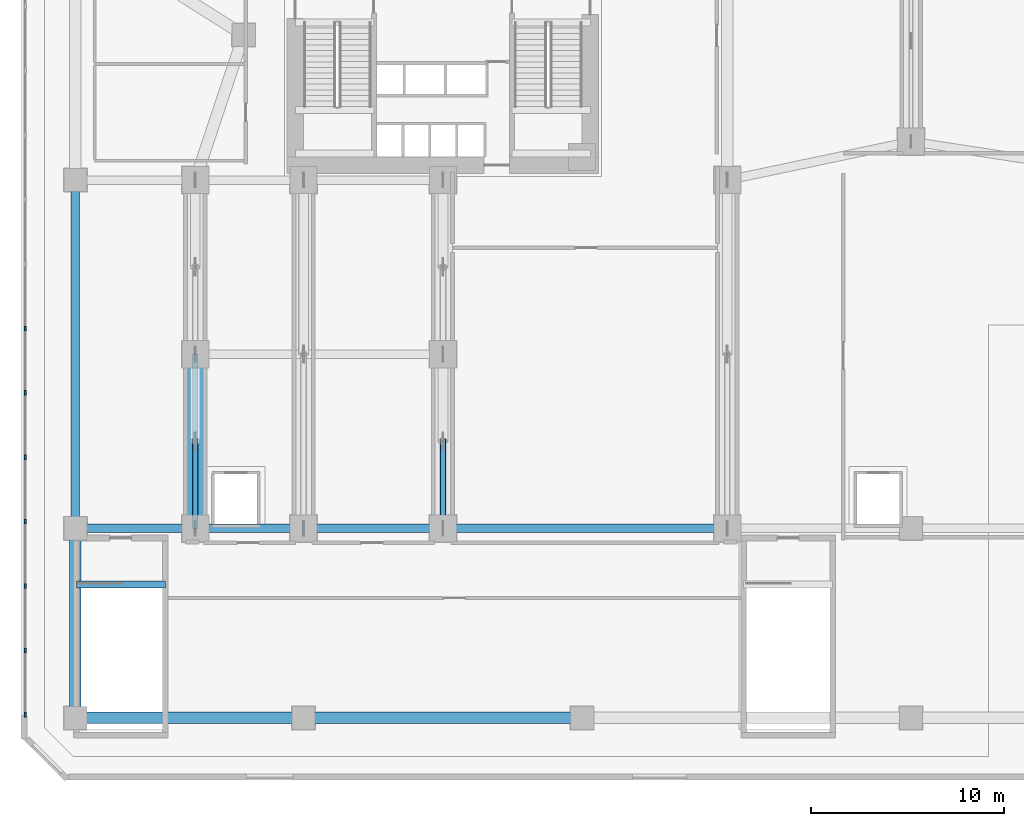
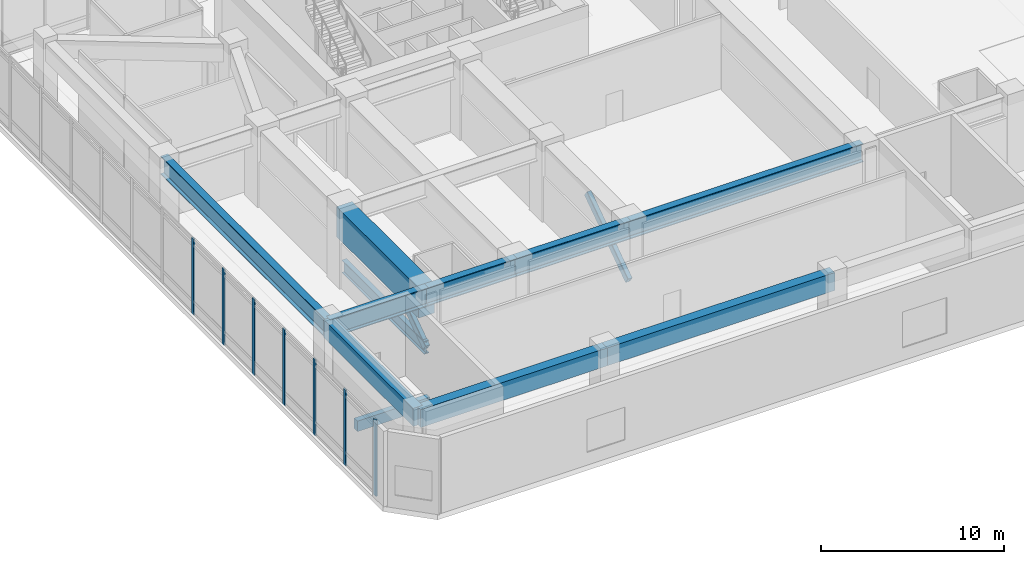
# One storey, part 2 of 21: 11 beams, 9 members, 1 element without a shape of its own.
"""IFC4 building model written with IfcOpenShell, lengths in metres."""

from ifc_helpers import new_model, si_unit, direction, frame, origin, origin_2d, place, context, subcontext, project, spatial, rectangle, hollow_rectangle, i_section, extrude, source, transform, mapped, material, material_profile, profile_set, type_object, element, aggregate, save


model = new_model("IFC4")

# Units and contexts
model_context = context("Model", 3, precision=1e-05, world=origin(), true_north=direction((0.0, 1.0)))
body_context = subcontext(model_context, "Body", "Model", "MODEL_VIEW")
ifc_project = project(units=[si_unit("LENGTHUNIT", "METRE"), si_unit("AREAUNIT", "SQUARE_METRE"), si_unit("VOLUMEUNIT", "CUBIC_METRE"), si_unit("PLANEANGLEUNIT", "RADIAN"), si_unit("MASSUNIT", "GRAM", prefix="KILO")], contexts=[model_context])

# Site, building, storey
site_placement = place(None, origin())
site = spatial("IfcSite", under=ifc_project, at=site_placement, CompositionType="ELEMENT")
building_placement = place(site_placement, origin())
building = spatial("IfcBuilding", under=site, at=building_placement, Name="Calvemar Wedge Station Tower", CompositionType="ELEMENT")
storey_placement = place(building_placement, frame((0.0, 0.0, 21.60009765625)))
storey = spatial("IfcBuildingStorey", under=building, at=storey_placement, Name="L05", CompositionType="ELEMENT", Elevation=21.60009765625)

# Beams
ifc_material_1 = material(Name="Concrete C70", Category="concrete")
ifc_material_profile_1 = material_profile(ifc_material_1, rectangle(XDim=0.35009765625, YDim=0.699951171875, at=origin_2d()), Name="RC350x700")
ifc_profile_set_1 = profile_set([ifc_material_profile_1], Name="Concrete C70")
beam_type_1 = type_object("IfcBeamType", Name="BM-LN1-700", PredefinedType="LINTEL", material=ifc_profile_set_1)
shared_shape_1 = source(origin(), body_context, "Body", "SweptSolid", [
    extrude(rectangle(XDim=0.35009765625, YDim=0.699951171875, at=origin_2d()), origin(), (0.0, 0.0, 1.0), 4.599853515625),
])
beam_1_placement = place(storey_placement, frame((4.85009765625, 12.10009765625, -0.35009765625), z_axis=(1.0, 0.0, 0.0), x_axis=(0.0, 1.0, 0.0)))
element("IfcBeam", 1, at=beam_1_placement, inside=storey, type_object=beam_type_1, Name="Storey L05 Stair ST-P1 Landing Trimmer Beam", PredefinedType="LINTEL", context=body_context, shape_type="MappedRepresentation", body=[
    mapped(shared_shape_1, transform((0.0, 0.0, 0.0), scale=1.0)),
])
ifc_material_2 = material(Name="Concrete C60", Category="concrete")
ifc_material_profile_2 = material_profile(ifc_material_2, rectangle(XDim=0.60009765625, YDim=1.199951171875, at=origin_2d()), Name="RC600x1200")
ifc_profile_set_2 = profile_set([ifc_material_profile_2], Name="Concrete C60")
beam_type_2 = type_object("IfcBeamType", Name="BM-G1-1200", PredefinedType="BEAM", material=ifc_profile_set_2)
shared_shape_2 = source(origin(), body_context, "Body", "SweptSolid", [
    extrude(rectangle(XDim=0.60009765625, YDim=1.199951171875, at=origin_2d()), origin(), (0.0, 0.0, 1.0), 14.39990234375),
])
beam_2_placement = place(storey_placement, frame((16.60009765625, 5.199951171875, 4.449951171875), z_axis=(1.0, 0.0, 0.0), x_axis=(0.0, 1.0, 0.0)))
element("IfcBeam", 2, at=beam_2_placement, inside=storey, type_object=beam_type_2, Name="L05 Podium Girder P-S2-P-S3", PredefinedType="BEAM", context=body_context, shape_type="MappedRepresentation", body=[
    mapped(shared_shape_2, transform((0.0, 0.0, 0.0), scale=1.0)),
])
ifc_material_3 = material(Name="Structural steel ASTM A572 Grade 50", Category="steel")
ifc_material_profile_3 = material_profile(ifc_material_3, i_section(OverallWidth=0.303955078125, OverallDepth=0.862060546875, WebThickness=0.019775390625, FlangeThickness=0.035888671875, FilletRadius=0.02001953125, at=origin_2d()), Name="W840x329")
ifc_profile_set_3 = profile_set([ifc_material_profile_3], Name="Structural steel ASTM A572 Grade 50")
beam_type_3 = type_object("IfcBeamType", Name="BM-TR2-W840", PredefinedType="BEAM", material=ifc_profile_set_3)
shared_shape_3 = source(origin(), body_context, "Body", "SweptSolid", [
    extrude(i_section(OverallWidth=0.303955078125, OverallDepth=0.862060546875, WebThickness=0.019775390625, FlangeThickness=0.035888671875, FilletRadius=0.02001953125, at=origin_2d()), origin(), (0.0, 0.0, 1.0), 9.0),
])
beam_3_placement = place(storey_placement, frame((11.0, 15.0, 0.930908203125), z_axis=(0.0, 1.0, 0.0), x_axis=(-1.0, 0.0, 0.0)))
element("IfcBeam", 3, at=beam_3_placement, inside=storey, type_object=beam_type_3, Name="Warren Transfer Truss TR1 Bottom Chord 1", PredefinedType="BEAM", context=body_context, shape_type="MappedRepresentation", body=[
    mapped(shared_shape_3, transform((0.0, 0.0, 0.0), scale=1.0)),
])
ifc_material_profile_4 = material_profile(ifc_material_1, rectangle(XDim=1.0, YDim=2.0, at=origin_2d()), Name="RC1000x2000")
ifc_profile_set_4 = profile_set([ifc_material_profile_4], Name="Concrete C70")
beam_type_4 = type_object("IfcBeamType", Name="BM-TG1-2000", PredefinedType="BEAM", material=ifc_profile_set_4)
shared_shape_4 = source(origin(), body_context, "Body", "SweptSolid", [
    extrude(rectangle(XDim=1.0, YDim=2.0, at=origin_2d()), origin(), (0.0, 0.0, 1.0), 9.0),
])
beam_4_placement = place(storey_placement, frame((11.0, 15.0, 4.0498046875), z_axis=(0.0, 1.0, 0.0), x_axis=(-1.0, 0.0, 0.0)))
element("IfcBeam", 4, at=beam_4_placement, inside=storey, type_object=beam_type_4, Name="L05 Transfer Girder TG-L05-W1", PredefinedType="BEAM", context=body_context, shape_type="MappedRepresentation", body=[
    mapped(shared_shape_4, transform((0.0, 0.0, 0.0), scale=1.0)),
])

# Members
ifc_material_profile_5 = material_profile(ifc_material_3, hollow_rectangle(XDim=0.300048828125, YDim=0.5, WallThickness=0.02197265625, InnerFilletRadius=0.02197265625, OuterFilletRadius=0.0439453125, at=origin_2d()), Name="HSS500x300x22")
ifc_profile_set_5 = profile_set([ifc_material_profile_5], Name="Structural steel ASTM A572 Grade 50")
member_type_1 = type_object("IfcMemberType", Name="MEM-D1-HSS500", PredefinedType="BRACE", material=ifc_profile_set_5)
shared_shape_5 = source(origin(), body_context, "Body", "SweptSolid", [
    extrude(hollow_rectangle(XDim=0.300048828125, YDim=0.5, WallThickness=0.02197265625, InnerFilletRadius=0.02197265625, OuterFilletRadius=0.0439453125, at=origin_2d()), origin(), (0.0, 0.0, 1.0), 5.47509765625),
])
for number, where, z_axis, x_axis, name in (
    (5, (11.0, 15.0, 0.930908203125), (0.0, 0.821891894139, 0.569643497592), (-1.0, 0.0, 0.0), "Warren Transfer Truss TR1 Diagonal 1A"),
    (6, (23.800048828125, 15.0, 0.930908203125), (0.0, 0.821891894139, 0.569643497592), (-1.0, 0.0, 0.0), "Warren Transfer Truss TR3 Diagonal 1A"),
):
    element("IfcMember", number, at=place(storey_placement, frame(where, z_axis=z_axis, x_axis=x_axis)), inside=storey, type_object=member_type_1, Name=name, PredefinedType="BRACE", context=body_context, shape_type="MappedRepresentation", body=[
        mapped(shared_shape_5, transform((0.0, 0.0, 0.0), scale=1.0)),
    ])

# Beams
ifc_material_profile_6 = material_profile(ifc_material_3, i_section(OverallWidth=0.449951171875, OverallDepth=1.219970703125, WebThickness=0.02587890625, FlangeThickness=0.0458984375, FilletRadius=0.02392578125, at=origin_2d()), Name="W1200x540")
ifc_profile_set_6 = profile_set([ifc_material_profile_6], Name="Structural steel ASTM A572 Grade 50")
beam_type_5 = type_object("IfcBeamType", Name="BM-TG3-W1200", PredefinedType="BEAM", material=ifc_profile_set_6)
shared_shape_6 = source(origin(), body_context, "Body", "SweptSolid", [
    extrude(i_section(OverallWidth=0.449951171875, OverallDepth=1.219970703125, WebThickness=0.02587890625, FlangeThickness=0.0458984375, FilletRadius=0.02392578125, at=origin_2d()), origin(), (0.0, 0.0, 1.0), 6.199951171875),
])
beam_5_placement = place(storey_placement, frame((4.800048828125, 15.0, 4.43994140625), z_axis=(1.0, 0.0, 0.0), x_axis=(0.0, 1.0, 0.0)))
element("IfcBeam", 7, at=beam_5_placement, inside=storey, type_object=beam_type_5, Name="L05 Transfer Deck Tie Girder P-CS0-P-CS1", PredefinedType="BEAM", context=body_context, shape_type="MappedRepresentation", body=[
    mapped(shared_shape_6, transform((0.0, 0.0, 0.0), scale=1.0)),
])
shared_shape_7 = source(origin(), body_context, "Body", "SweptSolid", [
    extrude(i_section(OverallWidth=0.449951171875, OverallDepth=1.219970703125, WebThickness=0.02587890625, FlangeThickness=0.0458984375, FilletRadius=0.02392578125, at=origin_2d()), origin(), (0.0, 0.0, 1.0), 5.60009765625),
])
beam_6_placement = place(storey_placement, frame((11.0, 15.0, 4.43994140625), z_axis=(1.0, 0.0, 0.0), x_axis=(0.0, 1.0, 0.0)))
element("IfcBeam", 8, at=beam_6_placement, inside=storey, type_object=beam_type_5, Name="L05 Transfer Deck Tie Girder P-CS1-P-CS2", PredefinedType="BEAM", context=body_context, shape_type="MappedRepresentation", body=[
    mapped(shared_shape_7, transform((0.0, 0.0, 0.0), scale=1.0)),
])
shared_shape_8 = source(origin(), body_context, "Body", "SweptSolid", [
    extrude(i_section(OverallWidth=0.449951171875, OverallDepth=1.219970703125, WebThickness=0.02587890625, FlangeThickness=0.0458984375, FilletRadius=0.02392578125, at=origin_2d()), origin(), (0.0, 0.0, 1.0), 7.199951171875),
])
beam_7_placement = place(storey_placement, frame((16.60009765625, 15.0, 4.43994140625), z_axis=(1.0, 0.0, 0.0), x_axis=(0.0, 1.0, 0.0)))
element("IfcBeam", 9, at=beam_7_placement, inside=storey, type_object=beam_type_5, Name="L05 Transfer Deck Tie Girder P-CS2-P-CS3", PredefinedType="BEAM", context=body_context, shape_type="MappedRepresentation", body=[
    mapped(shared_shape_8, transform((0.0, 0.0, 0.0), scale=1.0)),
])
shared_shape_9 = source(origin(), body_context, "Body", "SweptSolid", [
    extrude(i_section(OverallWidth=0.449951171875, OverallDepth=1.219970703125, WebThickness=0.02587890625, FlangeThickness=0.0458984375, FilletRadius=0.02392578125, at=origin_2d()), origin(), (0.0, 0.0, 1.0), 14.699951171875),
])
beam_8_placement = place(storey_placement, frame((23.800048828125, 15.0, 4.43994140625), z_axis=(1.0, 0.0, 0.0), x_axis=(0.0, 1.0, 0.0)))
element("IfcBeam", 10, at=beam_8_placement, inside=storey, type_object=beam_type_5, Name="L05 Transfer Deck Tie Girder P-CS3-P-CS4", PredefinedType="BEAM", context=body_context, shape_type="MappedRepresentation", body=[
    mapped(shared_shape_9, transform((0.0, 0.0, 0.0), scale=1.0)),
])
shared_shape_10 = source(origin(), body_context, "Body", "SweptSolid", [
    extrude(i_section(OverallWidth=0.449951171875, OverallDepth=1.219970703125, WebThickness=0.02587890625, FlangeThickness=0.0458984375, FilletRadius=0.02392578125, at=origin_2d()), origin(), (0.0, 0.0, 1.0), 18.0),
])
beam_9_placement = place(storey_placement, frame((4.800048828125, 15.0, 4.43994140625), z_axis=(0.0, 1.0, 0.0), x_axis=(-1.0, 0.0, 0.0)))
element("IfcBeam", 11, at=beam_9_placement, inside=storey, type_object=beam_type_5, Name="L05 Transfer Deck Tie Girder P-CS0-P-CN0", PredefinedType="BEAM", context=body_context, shape_type="MappedRepresentation", body=[
    mapped(shared_shape_10, transform((0.0, 0.0, 0.0), scale=1.0)),
])
shared_shape_11 = source(origin(), body_context, "Body", "SweptSolid", [
    extrude(rectangle(XDim=0.60009765625, YDim=1.199951171875, at=origin_2d()), origin(), (0.0, 0.0, 1.0), 11.800048828125),
])
beam_10_placement = place(storey_placement, frame((4.800048828125, 5.199951171875, 4.449951171875), z_axis=(1.0, 0.0, 0.0), x_axis=(0.0, 1.0, 0.0)))
element("IfcBeam", 12, at=beam_10_placement, inside=storey, type_object=beam_type_2, Name="L05 Podium Girder P-S1-P-S2", PredefinedType="BEAM", context=body_context, shape_type="MappedRepresentation", body=[
    mapped(shared_shape_11, transform((0.0, 0.0, 0.0), scale=1.0)),
])
shared_shape_12 = source(origin(), body_context, "Body", "SweptSolid", [
    extrude(rectangle(XDim=0.60009765625, YDim=1.199951171875, at=origin_2d()), origin(), (0.0, 0.0, 1.0), 9.800048828125),
])
beam_11_placement = place(storey_placement, frame((4.800048828125, 5.199951171875, 4.449951171875), z_axis=(0.0, 1.0, 0.0), x_axis=(-1.0, 0.0, 0.0)))
element("IfcBeam", 13, at=beam_11_placement, inside=storey, type_object=beam_type_2, Name="L05 Podium Girder P-S1-P-CS0", PredefinedType="BEAM", context=body_context, shape_type="MappedRepresentation", body=[
    mapped(shared_shape_12, transform((0.0, 0.0, 0.0), scale=1.0)),
])

# Curtain wall, members
ifc_material_4 = material(Name="Anodised aluminium 6063-T6", Category="aluminium")
curtain_wall_type = type_object("IfcCurtainWallType", Name="CW5", PredefinedType="NOTDEFINED", material=ifc_material_4)
curtain_wall_placement = place(storey_placement, origin())
curtain_wall = element("IfcCurtainWall", 14, at=curtain_wall_placement, inside=storey, type_object=curtain_wall_type, Name="Storey L05 CW5 Recessed Unitised Curtain Wall 6", PredefinedType="NOTDEFINED")
ifc_material_profile_7 = material_profile(ifc_material_4, rectangle(XDim=0.0849609375, YDim=0.239990234375, at=origin_2d()), Name="AL-MUL-85x240")
ifc_profile_set_7 = profile_set([ifc_material_profile_7], Name="Anodised aluminium 6063-T6")
member_type_2 = type_object("IfcMemberType", Name="CW5-MUL", PredefinedType="MULLION", material=ifc_profile_set_7)
shared_shape_13 = source(origin(), body_context, "Body", "SweptSolid", [
    extrude(rectangle(XDim=0.0849609375, YDim=0.239990234375, at=origin_2d()), origin(), (0.0, 0.0, 1.0), 5.099853515625),
])
member_1_placement = place(storey_placement, frame((2.2099609375, 25.33544921875, -0.050048828125), z_axis=(0.0, 0.0, 1.0), x_axis=(1.0, 0.0, 0.0)))
member_1 = element("IfcMember", 15, at=member_1_placement, type_object=member_type_2, Name="CW5 mullion 8", PredefinedType="MULLION", context=body_context, shape_type="MappedRepresentation", body=[
    mapped(shared_shape_13, transform((0.0, 0.0, 0.0), scale=1.0)),
])
member_2_placement = place(storey_placement, frame((2.2099609375, 22.006591796875, -0.050048828125), z_axis=(0.0, 0.0, 1.0), x_axis=(1.0, 0.0, 0.0)))
member_2 = element("IfcMember", 16, at=member_2_placement, type_object=member_type_2, Name="CW5 mullion 9", PredefinedType="MULLION", context=body_context, shape_type="MappedRepresentation", body=[
    mapped(shared_shape_13, transform((0.0, 0.0, 0.0), scale=1.0)),
])
member_3_placement = place(storey_placement, frame((2.2099609375, 18.677734375, -0.050048828125), z_axis=(0.0, 0.0, 1.0), x_axis=(1.0, 0.0, 0.0)))
member_3 = element("IfcMember", 17, at=member_3_placement, type_object=member_type_2, Name="CW5 mullion 10", PredefinedType="MULLION", context=body_context, shape_type="MappedRepresentation", body=[
    mapped(shared_shape_13, transform((0.0, 0.0, 0.0), scale=1.0)),
])
member_4_placement = place(storey_placement, frame((2.2099609375, 15.348876953125, -0.050048828125), z_axis=(0.0, 0.0, 1.0), x_axis=(1.0, 0.0, 0.0)))
member_4 = element("IfcMember", 18, at=member_4_placement, type_object=member_type_2, Name="CW5 mullion 11", PredefinedType="MULLION", context=body_context, shape_type="MappedRepresentation", body=[
    mapped(shared_shape_13, transform((0.0, 0.0, 0.0), scale=1.0)),
])
member_5_placement = place(storey_placement, frame((2.2099609375, 12.02001953125, -0.050048828125), z_axis=(0.0, 0.0, 1.0), x_axis=(1.0, 0.0, 0.0)))
member_5 = element("IfcMember", 19, at=member_5_placement, type_object=member_type_2, Name="CW5 mullion 12", PredefinedType="MULLION", context=body_context, shape_type="MappedRepresentation", body=[
    mapped(shared_shape_13, transform((0.0, 0.0, 0.0), scale=1.0)),
])
member_6_placement = place(storey_placement, frame((2.2099609375, 8.69091796875, -0.050048828125), z_axis=(0.0, 0.0, 1.0), x_axis=(1.0, 0.0, 0.0)))
member_6 = element("IfcMember", 20, at=member_6_placement, type_object=member_type_2, Name="CW5 mullion 13", PredefinedType="MULLION", context=body_context, shape_type="MappedRepresentation", body=[
    mapped(shared_shape_13, transform((0.0, 0.0, 0.0), scale=1.0)),
])
member_7_placement = place(storey_placement, frame((2.2099609375, 5.362060546875, -0.050048828125), z_axis=(0.0, 0.0, 1.0), x_axis=(1.0, 0.0, 0.0)))
member_7 = element("IfcMember", 21, at=member_7_placement, type_object=member_type_2, Name="CW5 mullion 14", PredefinedType="MULLION", context=body_context, shape_type="MappedRepresentation", body=[
    mapped(shared_shape_13, transform((0.0, 0.0, 0.0), scale=1.0)),
])
aggregate(curtain_wall, [member_1, member_2, member_3, member_4, member_5, member_6, member_7])

save(model, "model.ifc")
